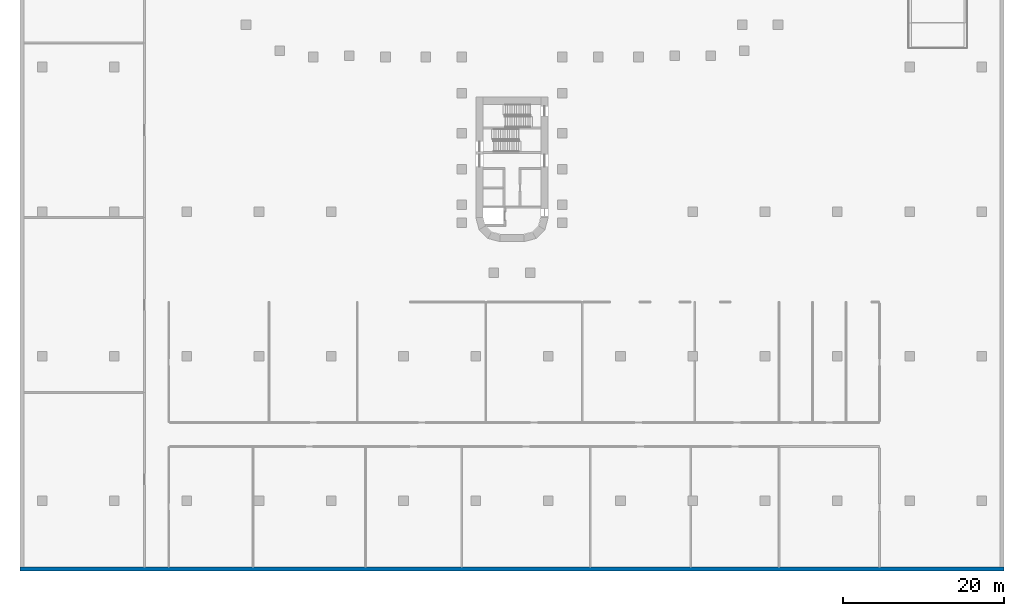
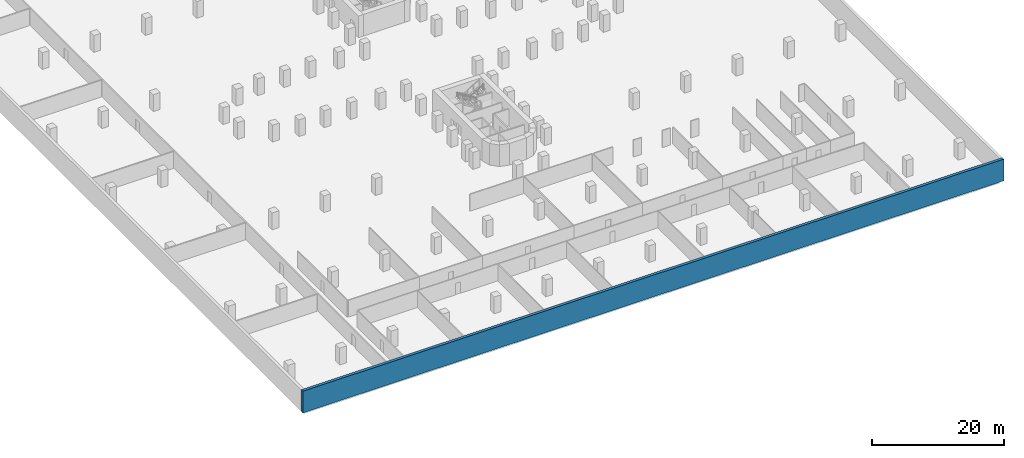
# One storey, part 3 of 11: 1 wall.
"""IFC4 building model written with IfcOpenShell, lengths in metres."""

from ifc_helpers import new_model, si_unit, direction, frame, frame_2d, origin, place, context, subcontext, project, spatial, rectangle, extrude, material, layer, layer_set, type_object, element, save


model = new_model("IFC4")

# Units and contexts
model_context = context("Model", 3, precision=1e-05, world=origin(), true_north=direction((0.0, 1.0)))
body_context = subcontext(model_context, "Body", "Model", "MODEL_VIEW")
ifc_project = project(units=[si_unit("LENGTHUNIT", "METRE"), si_unit("AREAUNIT", "SQUARE_METRE"), si_unit("VOLUMEUNIT", "CUBIC_METRE"), si_unit("PLANEANGLEUNIT", "RADIAN"), si_unit("MASSUNIT", "GRAM", prefix="KILO")], contexts=[model_context])

# Site, building, storey
site_placement = place(None, origin())
site = spatial("IfcSite", under=ifc_project, at=site_placement, CompositionType="ELEMENT")
building_placement = place(site_placement, origin())
building = spatial("IfcBuilding", under=site, at=building_placement, Name="Zarbagh Exchange Tower", CompositionType="ELEMENT")
storey_placement = place(building_placement, frame((0.0, 0.0, -4.0)))
storey = spatial("IfcBuildingStorey", under=building, at=storey_placement, Name="B1", CompositionType="ELEMENT", Elevation=-4.0)

# Wall
ifc_material = material(Name="Concrete C40/50", Category="concrete")
ifc_layer = layer(ifc_material, 0.5)
ifc_layer_set = layer_set([ifc_layer], Name="RC basement retaining wall 500 C40/50")
wall_type = type_object("IfcWallType", Name="RC basement retaining wall 500 C40/50", PredefinedType="SOLIDWALL", material=ifc_layer_set)
wall_placement = place(storey_placement, frame((-61.25, -70.0, 0.0), z_axis=(0.0, 0.0, 1.0), x_axis=(1.0, 0.0, 0.0)))
element("IfcWall", 1, at=wall_placement, inside=storey, type_object=wall_type, Name="CW12 basement", PredefinedType="SOLIDWALL", context=body_context, shape_type="SweptSolid", body=[
    extrude(rectangle(XDim=122.5, YDim=0.5, at=frame_2d((61.25, 0.0))), origin(), (0.0, 0.0, 1.0), 4.0),
])

save(model, "model.ifc")
